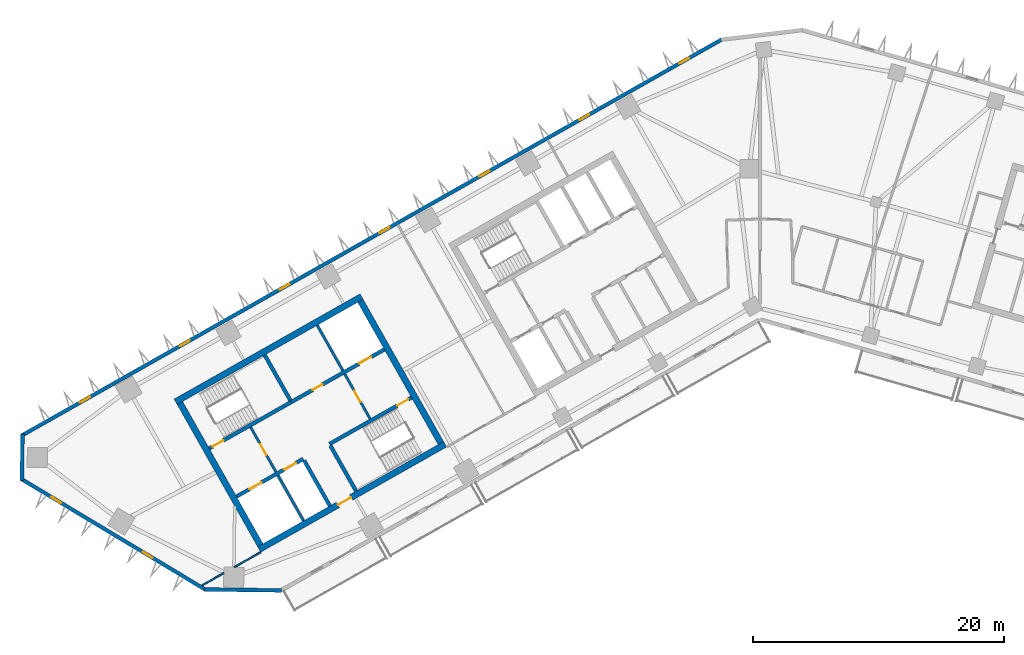
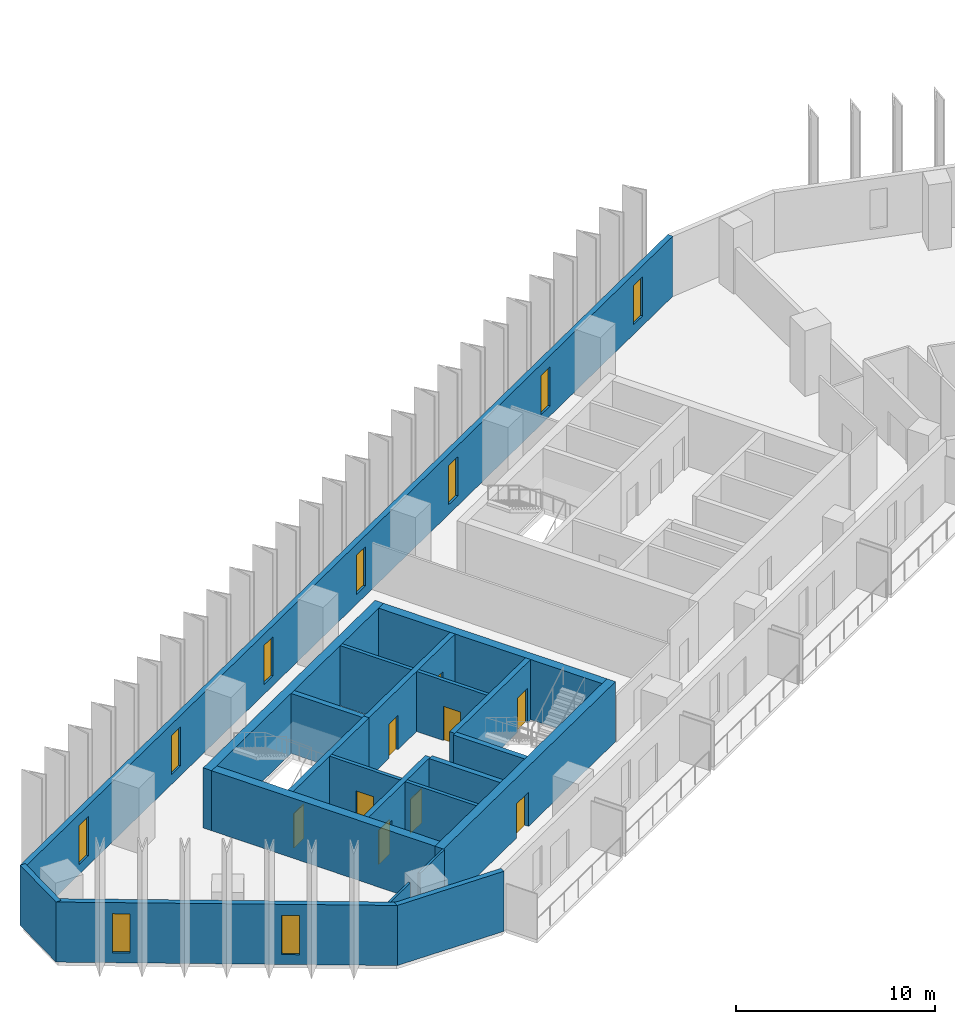
# One storey, part 3 of 10: 21 walls, 9 doors, 9 windows, 18 openings.
"""IFC4 building model written with IfcOpenShell, lengths in metres."""

from ifc_helpers import new_model, si_unit, direction, frame, frame_2d, origin, place, context, subcontext, project, spatial, rectangle, extrude, material, layer, layer_set, type_object, element, fill, save


model = new_model("IFC4")

# Units and contexts
model_context = context("Model", 3, precision=1e-05, world=origin(), true_north=direction((0.0, 1.0)))
body_context = subcontext(model_context, "Body", "Model", "MODEL_VIEW")
ifc_project = project(units=[si_unit("LENGTHUNIT", "METRE"), si_unit("AREAUNIT", "SQUARE_METRE"), si_unit("VOLUMEUNIT", "CUBIC_METRE"), si_unit("PLANEANGLEUNIT", "RADIAN"), si_unit("MASSUNIT", "GRAM", prefix="KILO")], contexts=[model_context])

# Site, building, storey
site_placement = place(None, origin())
site = spatial("IfcSite", under=ifc_project, at=site_placement, CompositionType="ELEMENT")
building_placement = place(site_placement, origin())
building = spatial("IfcBuilding", under=site, at=building_placement, Name="Binnacle Exchange Tower", CompositionType="ELEMENT")
storey_placement = place(building_placement, frame((0.0, 0.0, 186.89990234375)))
storey = spatial("IfcBuildingStorey", under=building, at=storey_placement, Name="L40", CompositionType="ELEMENT", Elevation=186.89990234375)

# Wall, openings, doors
ifc_material_1 = material(Name="Concrete C70/85", Category="concrete")
ifc_layer_1 = layer(ifc_material_1, 0.300048828125)
ifc_layer_set_1 = layer_set([ifc_layer_1], Name="Core wall - front 300")
wall_type_1 = type_object("IfcWallType", Name="Core wall - front 300", PredefinedType="SOLIDWALL", material=ifc_layer_set_1)
wall_1_placement = place(storey_placement, frame((-41.64306640625, 33.91162109375, 0.0), z_axis=(0.0, 0.0, 1.0), x_axis=(0.870343599782, 0.492444939378, 0.0)))
wall_1 = element("IfcWall", 1, at=wall_1_placement, inside=storey, type_object=wall_type_1, Name="Core wall CRWA2", PredefinedType="SOLIDWALL", context=body_context, shape_type="SweptSolid", body=[
    extrude(rectangle(XDim=6.10009765625, YDim=0.300048828125, at=frame_2d((3.050048828125, 0.0))), origin(), (0.0, 0.0, 1.0), 3.68017578125),
])
opening_1_placement = place(wall_1_placement, frame((1.199951171875, 0.0, 0.0)))
opening_1 = element("IfcOpeningElement", 2, at=opening_1_placement, cuts=wall_1, Name="Opening LD12", PredefinedType="OPENING", context=body_context, shape_type="SweptSolid", body=[
    extrude(rectangle(XDim=1.10009765625, YDim=2.10009765625, at=frame_2d((0.550048828125, 1.050048828125))), frame((0.0, 0.159912109375, 0.0), z_axis=(0.0, -1.0, 0.0), x_axis=(1.0, 0.0, 0.0)), (0.0, 0.0, 1.0), 0.320068359375),
])
opening_2_placement = place(wall_1_placement, frame((4.35009765625, 0.0, 0.0)))
opening_2 = element("IfcOpeningElement", 3, at=opening_2_placement, cuts=wall_1, Name="Opening LD8", PredefinedType="OPENING", context=body_context, shape_type="SweptSolid", body=[
    extrude(rectangle(XDim=1.10009765625, YDim=2.10009765625, at=frame_2d((0.550048828125, 1.050048828125))), frame((0.0, 0.159912109375, 0.0), z_axis=(0.0, -1.0, 0.0), x_axis=(1.0, 0.0, 0.0)), (0.0, 0.0, 1.0), 0.320068359375),
])
ifc_material_2 = material(Name="Steel door leaf", Category="steel")
door_type_1 = type_object("IfcDoorType", Name="Fire door - lift landing 1100", OperationType="NOTDEFINED", PredefinedType="DOOR", material=ifc_material_2)
door_1_placement = place(opening_1_placement, origin())
door_1 = element("IfcDoor", 4, at=door_1_placement, inside=storey, type_object=door_type_1, Name="Landing door LD12 L40", OperationType="DOUBLE_DOOR_SLIDING", OverallHeight=2.10009765625, OverallWidth=1.10009765625, PredefinedType="DOOR", context=body_context, shape_type="SweptSolid", body=[
    extrude(rectangle(XDim=1.10009765625, YDim=2.10009765625, at=frame_2d((0.550048828125, 1.050048828125))), frame((0.0, 0.02490234375, 0.0), z_axis=(0.0, -1.0, 0.0), x_axis=(1.0, 0.0, 0.0)), (0.0, 0.0, 1.0), 0.050048828125),
])
fill(opening_1, door_1)
door_2_placement = place(opening_2_placement, origin())
door_2 = element("IfcDoor", 5, at=door_2_placement, inside=storey, type_object=door_type_1, Name="Landing door LD8 L40", OperationType="DOUBLE_DOOR_SLIDING", OverallHeight=2.10009765625, OverallWidth=1.10009765625, PredefinedType="DOOR", context=body_context, shape_type="SweptSolid", body=[
    extrude(rectangle(XDim=1.10009765625, YDim=2.10009765625, at=frame_2d((0.550048828125, 1.050048828125))), frame((0.0, 0.02490234375, 0.0), z_axis=(0.0, -1.0, 0.0), x_axis=(1.0, 0.0, 0.0)), (0.0, 0.0, 1.0), 0.050048828125),
])
fill(opening_2, door_2)

wall_2_placement = place(storey_placement, frame((-37.281982421875, 41.4345703125, 0.0), z_axis=(0.0, 0.0, 1.0), x_axis=(0.870356271124, 0.492422543467, 0.0)))
wall_2 = element("IfcWall", 6, at=wall_2_placement, inside=storey, type_object=wall_type_1, Name="Core wall CRWA5", PredefinedType="SOLIDWALL", context=body_context, shape_type="SweptSolid", body=[
    extrude(rectangle(XDim=8.5, YDim=0.300048828125, at=frame_2d((4.25, 0.0))), origin(), (0.0, 0.0, 1.0), 3.68017578125),
])
opening_3_placement = place(wall_2_placement, frame((6.199951171875, 0.0, 0.0)))
opening_3 = element("IfcOpeningElement", 7, at=opening_3_placement, cuts=wall_2, Name="Opening LD13", PredefinedType="OPENING", context=body_context, shape_type="SweptSolid", body=[
    extrude(rectangle(XDim=1.10009765625, YDim=2.10009765625, at=frame_2d((0.550048828125, 1.050048828125))), frame((0.0, 0.159912109375, 0.0), z_axis=(0.0, -1.0, 0.0), x_axis=(1.0, 0.0, 0.0)), (0.0, 0.0, 1.0), 0.320068359375),
])
opening_4_placement = place(wall_2_placement, frame((1.949951171875, 0.0, 0.0)))
opening_4 = element("IfcOpeningElement", 8, at=opening_4_placement, cuts=wall_2, Name="Opening DA10", PredefinedType="OPENING", context=body_context, shape_type="SweptSolid", body=[
    extrude(rectangle(XDim=0.89990234375, YDim=2.10009765625, at=frame_2d((0.449951171875, 1.050048828125))), frame((0.0, 0.159912109375, 0.0), z_axis=(0.0, -1.0, 0.0), x_axis=(1.0, 0.0, 0.0)), (0.0, 0.0, 1.0), 0.320068359375),
])
door_3_placement = place(opening_3_placement, origin())
door_3 = element("IfcDoor", 9, at=door_3_placement, inside=storey, type_object=door_type_1, Name="Landing door LD13 L40", OperationType="DOUBLE_DOOR_SLIDING", OverallHeight=2.10009765625, OverallWidth=1.10009765625, PredefinedType="DOOR", context=body_context, shape_type="SweptSolid", body=[
    extrude(rectangle(XDim=1.10009765625, YDim=2.10009765625, at=frame_2d((0.550048828125, 1.050048828125))), frame((0.0, 0.02490234375, 0.0), z_axis=(0.0, -1.0, 0.0), x_axis=(1.0, 0.0, 0.0)), (0.0, 0.0, 1.0), 0.050048828125),
])
fill(opening_3, door_3)
door_type_2 = type_object("IfcDoorType", Name="Fire door 900", OperationType="NOTDEFINED", PredefinedType="DOOR", material=ifc_material_2)
door_4_placement = place(opening_4_placement, origin())
door_4 = element("IfcDoor", 10, at=door_4_placement, inside=storey, type_object=door_type_2, Name="Core room door LINEN AND SUPPLIES STORE", OperationType="SINGLE_SWING_LEFT", OverallHeight=2.10009765625, OverallWidth=0.89990234375, PredefinedType="DOOR", context=body_context, shape_type="SweptSolid", body=[
    extrude(rectangle(XDim=0.89990234375, YDim=2.10009765625, at=frame_2d((0.449951171875, 1.050048828125))), frame((0.0, 0.02490234375, 0.0), z_axis=(0.0, -1.0, 0.0), x_axis=(1.0, 0.0, 0.0)), (0.0, 0.0, 1.0), 0.050048828125),
])
fill(opening_4, door_4)

# Wall
wall_3_placement = place(storey_placement, frame((-36.260009765625, 36.784912109375, 0.0), z_axis=(0.0, 0.0, 1.0), x_axis=(0.492421666909, -0.870356767055, 0.0)))
element("IfcWall", 11, at=wall_3_placement, inside=storey, type_object=wall_type_1, Name="Core wall CRWA13", PredefinedType="SOLIDWALL", context=body_context, shape_type="SweptSolid", body=[
    extrude(rectangle(XDim=4.14990234375, YDim=0.300048828125, at=frame_2d((2.074951171875, 0.0))), origin(), (0.0, 0.0, 1.0), 3.68017578125),
])

# Wall, opening, door
ifc_layer_2 = layer(ifc_material_1, 0.5)
ifc_layer_set_2 = layer_set([ifc_layer_2], Name="Core wall - outer 500")
wall_type_2 = type_object("IfcWallType", Name="Core wall - outer 500", PredefinedType="SOLIDWALL", material=ifc_layer_set_2)
wall_4_placement = place(storey_placement, frame((-39.837646484375, 29.705322265625, 0.0), z_axis=(0.0, 0.0, 1.0), x_axis=(0.870350116061, 0.492433422375, 0.0)))
wall_4 = element("IfcWall", 12, at=wall_4_placement, inside=storey, type_object=wall_type_2, Name="Core wall CRWA1", PredefinedType="SOLIDWALL", context=body_context, shape_type="SweptSolid", body=[
    extrude(rectangle(XDim=17.0, YDim=0.5, at=frame_2d((8.5, 0.0))), origin(), (0.0, 0.0, 1.0), 3.68017578125),
])
opening_5_placement = place(wall_4_placement, frame((7.199951171875, 0.0, 0.0)))
opening_5 = element("IfcOpeningElement", 13, at=opening_5_placement, cuts=wall_4, Name="Opening DA7", PredefinedType="OPENING", context=body_context, shape_type="SweptSolid", body=[
    extrude(rectangle(XDim=1.199951171875, YDim=2.10009765625, at=frame_2d((0.60009765625, 1.050048828125))), frame((0.0, 0.260009765625, 0.0), z_axis=(0.0, -1.0, 0.0), x_axis=(1.0, 0.0, 0.0)), (0.0, 0.0, 1.0), 0.52001953125),
])
door_type_3 = type_object("IfcDoorType", Name="Fire door 1200", OperationType="NOTDEFINED", PredefinedType="DOOR", material=ifc_material_2)
door_5_placement = place(opening_5_placement, frame((1.199951171875, 0.0, 0.0), z_axis=(0.0, 0.0, 1.0), x_axis=(-1.0, 0.0, 0.0)))
door_5 = element("IfcDoor", 14, at=door_5_placement, inside=storey, type_object=door_type_3, Name="Lift lobby entrance door core A", OperationType="SINGLE_SWING_RIGHT", OverallHeight=2.10009765625, OverallWidth=1.199951171875, PredefinedType="DOOR", context=body_context, shape_type="SweptSolid", body=[
    extrude(rectangle(XDim=1.199951171875, YDim=2.10009765625, at=frame_2d((0.60009765625, 1.050048828125))), frame((0.0, 0.02490234375, 0.0), z_axis=(0.0, -1.0, 0.0), x_axis=(1.0, 0.0, 0.0)), (0.0, 0.0, 1.0), 0.050048828125),
])
fill(opening_5, door_5)

# Walls
wall_5_placement = place(storey_placement, frame((-46.485595703125, 41.455078125, 0.0), z_axis=(0.0, 0.0, 1.0), x_axis=(0.870353598469, 0.492427267353, 0.0)))
element("IfcWall", 15, at=wall_5_placement, inside=storey, type_object=wall_type_2, Name="Core wall CRWA6", PredefinedType="SOLIDWALL", context=body_context, shape_type="SweptSolid", body=[
    extrude(rectangle(XDim=17.000244140625, YDim=0.5, at=frame_2d((8.5, 0.0))), origin(), (0.0, 0.0, 1.0), 3.68017578125),
])
for number, where, z_axis, x_axis, name in (
    (16, (-46.144775390625, 41.360595703125, 0.0), (0.0, 0.0, 1.0), (0.492435316254, -0.870349044525, 0.0), "Core wall CRWA7"),
    (17, (-31.783935546875, 49.485595703125, 0.0), (0.0, 0.0, 1.0), (0.492435316254, -0.870349044525, 0.0), "Core wall CRWA22"),
):
    element("IfcWall", number, at=place(storey_placement, frame(where, z_axis=z_axis, x_axis=x_axis)), inside=storey, type_object=wall_type_2, Name=name, PredefinedType="SOLIDWALL", context=body_context, shape_type="SweptSolid", body=[
        extrude(rectangle(XDim=13.0, YDim=0.5, at=frame_2d((6.5, 0.0))), origin(), (0.0, 0.0, 1.0), 3.68017578125),
    ])

# Wall, opening, door
ifc_layer_3 = layer(ifc_material_1, 0.300048828125)
ifc_layer_set_3 = layer_set([ifc_layer_3], Name="Core wall - stair 300")
wall_type_3 = type_object("IfcWallType", Name="Core wall - stair 300", PredefinedType="SOLIDWALL", material=ifc_layer_set_3)
wall_6_placement = place(storey_placement, frame((-34.2451171875, 38.097412109375, 0.0), z_axis=(0.0, 0.0, 1.0), x_axis=(0.870364520461, 0.492407962489, 0.0)))
wall_6 = element("IfcWall", 18, at=wall_6_placement, inside=storey, type_object=wall_type_3, Name="Core wall CRWA3", PredefinedType="SOLIDWALL", context=body_context, shape_type="SweptSolid", body=[
    extrude(rectangle(XDim=7.5, YDim=0.300048828125, at=frame_2d((3.75, 0.0))), origin(), (0.0, 0.0, 1.0), 3.68017578125),
])
opening_6_placement = place(wall_6_placement, frame((6.199951171875, 0.0, 0.0)))
opening_6 = element("IfcOpeningElement", 19, at=opening_6_placement, cuts=wall_6, Name="Opening DA2", PredefinedType="OPENING", context=body_context, shape_type="SweptSolid", body=[
    extrude(rectangle(XDim=1.0, YDim=2.10009765625, at=frame_2d((0.5, 1.050048828125))), frame((0.0, 0.159912109375, 0.0), z_axis=(0.0, -1.0, 0.0), x_axis=(1.0, 0.0, 0.0)), (0.0, 0.0, 1.0), 0.320068359375),
])
door_type_4 = type_object("IfcDoorType", Name="Fire door 1000", OperationType="NOTDEFINED", PredefinedType="DOOR", material=ifc_material_2)
door_6_placement = place(opening_6_placement, frame((1.0, 0.0, 0.0), z_axis=(0.0, 0.0, 1.0), x_axis=(-1.0, 0.0, 0.0)))
door_6 = element("IfcDoor", 20, at=door_6_placement, inside=storey, type_object=door_type_4, Name="Stair door ST-A2", OperationType="SINGLE_SWING_LEFT", OverallHeight=2.10009765625, OverallWidth=1.0, PredefinedType="DOOR", context=body_context, shape_type="SweptSolid", body=[
    extrude(rectangle(XDim=1.0, YDim=2.10009765625, at=frame_2d((0.5, 1.050048828125))), frame((0.0, 0.02490234375, 0.0), z_axis=(0.0, -1.0, 0.0), x_axis=(1.0, 0.0, 0.0)), (0.0, 0.0, 1.0), 0.050048828125),
])
fill(opening_6, door_6)

wall_7_placement = place(storey_placement, frame((-43.809814453125, 37.7412109375, 0.0), z_axis=(0.0, 0.0, 1.0), x_axis=(0.870350569555, 0.492432620848, 0.0)))
wall_7 = element("IfcWall", 21, at=wall_7_placement, inside=storey, type_object=wall_type_3, Name="Core wall CRWA4", PredefinedType="SOLIDWALL", context=body_context, shape_type="SweptSolid", body=[
    extrude(rectangle(XDim=7.500244140625, YDim=0.300048828125, at=frame_2d((3.75, 0.0))), origin(), (0.0, 0.0, 1.0), 3.68017578125),
])
opening_7_placement = place(wall_7_placement, frame((0.2998046875, 0.0, 0.0)))
opening_7 = element("IfcOpeningElement", 22, at=opening_7_placement, cuts=wall_7, Name="Opening DA1", PredefinedType="OPENING", context=body_context, shape_type="SweptSolid", body=[
    extrude(rectangle(XDim=1.0, YDim=2.10009765625, at=frame_2d((0.5, 1.050048828125))), frame((0.0, 0.159912109375, 0.0), z_axis=(0.0, -1.0, 0.0), x_axis=(1.0, 0.0, 0.0)), (0.0, 0.0, 1.0), 0.320068359375),
])
door_7_placement = place(opening_7_placement, origin())
door_7 = element("IfcDoor", 23, at=door_7_placement, inside=storey, type_object=door_type_4, Name="Stair door ST-A1", OperationType="SINGLE_SWING_LEFT", OverallHeight=2.10009765625, OverallWidth=1.0, PredefinedType="DOOR", context=body_context, shape_type="SweptSolid", body=[
    extrude(rectangle(XDim=1.0, YDim=2.10009765625, at=frame_2d((0.5, 1.050048828125))), frame((0.0, 0.02490234375, 0.0), z_axis=(0.0, -1.0, 0.0), x_axis=(1.0, 0.0, 0.0)), (0.0, 0.0, 1.0), 0.050048828125),
])
fill(opening_7, door_7)

# Walls
for number, where, z_axis, x_axis, name in (
    (24, (-39.3994140625, 45.177001953125, 0.0), (0.0, 0.0, 1.0), (0.492396453737, -0.870371031427, 0.0), "Core wall CRWA14"),
    (25, (-34.171142578125, 37.966796875, 0.0), (0.0, 0.0, 1.0), (0.492396453737, -0.870371031427, 0.0), "Core wall CRWA16"),
):
    element("IfcWall", number, at=place(storey_placement, frame(where, z_axis=z_axis, x_axis=x_axis)), inside=storey, type_object=wall_type_3, Name=name, PredefinedType="SOLIDWALL", context=body_context, shape_type="SweptSolid", body=[
        extrude(rectangle(XDim=4.14990234375, YDim=0.300048828125, at=frame_2d((2.074951171875, 0.0))), origin(), (0.0, 0.0, 1.0), 3.68017578125),
    ])
ifc_material_3 = material(Name="Bronze aluminium cladding", Category="aluminium")
ifc_layer_4 = layer(ifc_material_3, 0.300048828125)
ifc_layer_set_4 = layer_set([ifc_layer_4], Name="External wall - spandrel 300")
wall_type_4 = type_object("IfcWallType", Name="External wall - spandrel 300", PredefinedType="STANDARD", material=ifc_layer_set_4)
wall_8_placement = place(storey_placement, frame((-38.057373046875, 26.44482421875, 0.0), z_axis=(0.0, 0.0, 1.0), x_axis=(-0.999914086342, 0.013108010296, 0.0)))
element("IfcWall", 26, at=wall_8_placement, inside=storey, type_object=wall_type_4, Name="External wall EW-G00 L40", PredefinedType="STANDARD", context=body_context, shape_type="SweptSolid", body=[
    extrude(rectangle(XDim=6.127685546875, YDim=0.300048828125, at=frame_2d((3.06396484375, 0.0))), origin(), (0.0, 0.0, 1.0), 3.68017578125),
])

# Wall, openings, windows
wall_9_placement = place(storey_placement, frame((-58.744873046875, 38.763671875, 0.0), z_axis=(0.0, 0.0, 1.0), x_axis=(0.870355811726, 0.492423355453, 0.0)))
wall_9 = element("IfcWall", 27, at=wall_9_placement, inside=storey, type_object=wall_type_4, Name="External wall EW-G08 L40", PredefinedType="STANDARD", context=body_context, shape_type="SweptSolid", body=[
    extrude(rectangle(XDim=64.025390625, YDim=0.300048828125, at=frame_2d((32.0126953125, 0.0))), origin(), (0.0, 0.0, 1.0), 3.68017578125),
])
opening_8_placement = place(wall_9_placement, frame((60.12158203125, 0.0, 0.60009765625)))
opening_8 = element("IfcOpeningElement", 28, at=opening_8_placement, cuts=wall_9, Name="Opening WS3", PredefinedType="OPENING", context=body_context, shape_type="SweptSolid", body=[
    extrude(rectangle(XDim=0.89990234375, YDim=2.39990234375, at=frame_2d((0.449951171875, 1.199951171875))), frame((0.0, 0.159912109375, 0.0), z_axis=(0.0, -1.0, 0.0), x_axis=(1.0, 0.0, 0.0)), (0.0, 0.0, 1.0), 0.320068359375),
])
opening_9_placement = place(wall_9_placement, frame((50.99169921875, 0.0, 0.60009765625)))
opening_9 = element("IfcOpeningElement", 29, at=opening_9_placement, cuts=wall_9, Name="Opening WS3", PredefinedType="OPENING", context=body_context, shape_type="SweptSolid", body=[
    extrude(rectangle(XDim=0.89990234375, YDim=2.39990234375, at=frame_2d((0.449951171875, 1.199951171875))), frame((0.0, 0.159912109375, 0.0), z_axis=(0.0, -1.0, 0.0), x_axis=(1.0, 0.0, 0.0)), (0.0, 0.0, 1.0), 0.320068359375),
])
opening_10_placement = place(wall_9_placement, frame((41.86181640625, 0.0, 0.60009765625)))
opening_10 = element("IfcOpeningElement", 30, at=opening_10_placement, cuts=wall_9, Name="Opening WS3", PredefinedType="OPENING", context=body_context, shape_type="SweptSolid", body=[
    extrude(rectangle(XDim=0.89990234375, YDim=2.39990234375, at=frame_2d((0.449951171875, 1.199951171875))), frame((0.0, 0.159912109375, 0.0), z_axis=(0.0, -1.0, 0.0), x_axis=(1.0, 0.0, 0.0)), (0.0, 0.0, 1.0), 0.320068359375),
])
opening_11_placement = place(wall_9_placement, frame((32.73193359375, 0.0, 0.60009765625)))
opening_11 = element("IfcOpeningElement", 31, at=opening_11_placement, cuts=wall_9, Name="Opening WS3", PredefinedType="OPENING", context=body_context, shape_type="SweptSolid", body=[
    extrude(rectangle(XDim=0.89990234375, YDim=2.39990234375, at=frame_2d((0.449951171875, 1.199951171875))), frame((0.0, 0.159912109375, 0.0), z_axis=(0.0, -1.0, 0.0), x_axis=(1.0, 0.0, 0.0)), (0.0, 0.0, 1.0), 0.320068359375),
])
opening_12_placement = place(wall_9_placement, frame((23.60205078125, 0.0, 0.60009765625)))
opening_12 = element("IfcOpeningElement", 32, at=opening_12_placement, cuts=wall_9, Name="Opening WS3", PredefinedType="OPENING", context=body_context, shape_type="SweptSolid", body=[
    extrude(rectangle(XDim=0.89990234375, YDim=2.39990234375, at=frame_2d((0.449951171875, 1.199951171875))), frame((0.0, 0.159912109375, 0.0), z_axis=(0.0, -1.0, 0.0), x_axis=(1.0, 0.0, 0.0)), (0.0, 0.0, 1.0), 0.320068359375),
])
opening_13_placement = place(wall_9_placement, frame((14.47216796875, 0.0, 0.60009765625)))
opening_13 = element("IfcOpeningElement", 33, at=opening_13_placement, cuts=wall_9, Name="Opening WS3", PredefinedType="OPENING", context=body_context, shape_type="SweptSolid", body=[
    extrude(rectangle(XDim=0.89990234375, YDim=2.39990234375, at=frame_2d((0.449951171875, 1.199951171875))), frame((0.0, 0.159912109375, 0.0), z_axis=(0.0, -1.0, 0.0), x_axis=(1.0, 0.0, 0.0)), (0.0, 0.0, 1.0), 0.320068359375),
])
opening_14_placement = place(wall_9_placement, frame((5.34228515625, 0.0, 0.60009765625)))
opening_14 = element("IfcOpeningElement", 34, at=opening_14_placement, cuts=wall_9, Name="Opening WS3", PredefinedType="OPENING", context=body_context, shape_type="SweptSolid", body=[
    extrude(rectangle(XDim=0.89990234375, YDim=2.39990234375, at=frame_2d((0.449951171875, 1.199951171875))), frame((0.0, 0.159912109375, 0.0), z_axis=(0.0, -1.0, 0.0), x_axis=(1.0, 0.0, 0.0)), (0.0, 0.0, 1.0), 0.320068359375),
])
ifc_material_4 = material(Name="Bronze anodised aluminium frame", Category="aluminium")
window_type = type_object("IfcWindowType", Name="WS3 WINDOW 900x2400", PartitioningType="SINGLE_PANEL", PredefinedType="WINDOW", material=ifc_material_4)
window_1_placement = place(opening_8_placement, origin())
window_1 = element("IfcWindow", 35, at=window_1_placement, inside=storey, type_object=window_type, Name="Window WS3 L40", OverallHeight=2.39990234375, OverallWidth=0.89990234375, PartitioningType="SINGLE_PANEL", PredefinedType="WINDOW", context=body_context, shape_type="SweptSolid", body=[
    extrude(rectangle(XDim=0.89990234375, YDim=2.39990234375, at=frame_2d((0.449951171875, 1.199951171875))), frame((0.0, 0.030029296875, 0.0), z_axis=(0.0, -1.0, 0.0), x_axis=(1.0, 0.0, 0.0)), (0.0, 0.0, 1.0), 0.06005859375),
])
fill(opening_8, window_1)
window_2_placement = place(opening_9_placement, origin())
window_2 = element("IfcWindow", 36, at=window_2_placement, inside=storey, type_object=window_type, Name="Window WS3 L40", OverallHeight=2.39990234375, OverallWidth=0.89990234375, PartitioningType="SINGLE_PANEL", PredefinedType="WINDOW", context=body_context, shape_type="SweptSolid", body=[
    extrude(rectangle(XDim=0.89990234375, YDim=2.39990234375, at=frame_2d((0.449951171875, 1.199951171875))), frame((0.0, 0.030029296875, 0.0), z_axis=(0.0, -1.0, 0.0), x_axis=(1.0, 0.0, 0.0)), (0.0, 0.0, 1.0), 0.06005859375),
])
fill(opening_9, window_2)
window_3_placement = place(opening_10_placement, origin())
window_3 = element("IfcWindow", 37, at=window_3_placement, inside=storey, type_object=window_type, Name="Window WS3 L40", OverallHeight=2.39990234375, OverallWidth=0.89990234375, PartitioningType="SINGLE_PANEL", PredefinedType="WINDOW", context=body_context, shape_type="SweptSolid", body=[
    extrude(rectangle(XDim=0.89990234375, YDim=2.39990234375, at=frame_2d((0.449951171875, 1.199951171875))), frame((0.0, 0.030029296875, 0.0), z_axis=(0.0, -1.0, 0.0), x_axis=(1.0, 0.0, 0.0)), (0.0, 0.0, 1.0), 0.06005859375),
])
fill(opening_10, window_3)
window_4_placement = place(opening_11_placement, origin())
window_4 = element("IfcWindow", 38, at=window_4_placement, inside=storey, type_object=window_type, Name="Window WS3 L40", OverallHeight=2.39990234375, OverallWidth=0.89990234375, PartitioningType="SINGLE_PANEL", PredefinedType="WINDOW", context=body_context, shape_type="SweptSolid", body=[
    extrude(rectangle(XDim=0.89990234375, YDim=2.39990234375, at=frame_2d((0.449951171875, 1.199951171875))), frame((0.0, 0.030029296875, 0.0), z_axis=(0.0, -1.0, 0.0), x_axis=(1.0, 0.0, 0.0)), (0.0, 0.0, 1.0), 0.06005859375),
])
fill(opening_11, window_4)
window_5_placement = place(opening_12_placement, origin())
window_5 = element("IfcWindow", 39, at=window_5_placement, inside=storey, type_object=window_type, Name="Window WS3 L40", OverallHeight=2.39990234375, OverallWidth=0.89990234375, PartitioningType="SINGLE_PANEL", PredefinedType="WINDOW", context=body_context, shape_type="SweptSolid", body=[
    extrude(rectangle(XDim=0.89990234375, YDim=2.39990234375, at=frame_2d((0.449951171875, 1.199951171875))), frame((0.0, 0.030029296875, 0.0), z_axis=(0.0, -1.0, 0.0), x_axis=(1.0, 0.0, 0.0)), (0.0, 0.0, 1.0), 0.06005859375),
])
fill(opening_12, window_5)
window_6_placement = place(opening_13_placement, origin())
window_6 = element("IfcWindow", 40, at=window_6_placement, inside=storey, type_object=window_type, Name="Window WS3 L40", OverallHeight=2.39990234375, OverallWidth=0.89990234375, PartitioningType="SINGLE_PANEL", PredefinedType="WINDOW", context=body_context, shape_type="SweptSolid", body=[
    extrude(rectangle(XDim=0.89990234375, YDim=2.39990234375, at=frame_2d((0.449951171875, 1.199951171875))), frame((0.0, 0.030029296875, 0.0), z_axis=(0.0, -1.0, 0.0), x_axis=(1.0, 0.0, 0.0)), (0.0, 0.0, 1.0), 0.06005859375),
])
fill(opening_13, window_6)
window_7_placement = place(opening_14_placement, origin())
window_7 = element("IfcWindow", 41, at=window_7_placement, inside=storey, type_object=window_type, Name="Window WS3 L40", OverallHeight=2.39990234375, OverallWidth=0.89990234375, PartitioningType="SINGLE_PANEL", PredefinedType="WINDOW", context=body_context, shape_type="SweptSolid", body=[
    extrude(rectangle(XDim=0.89990234375, YDim=2.39990234375, at=frame_2d((0.449951171875, 1.199951171875))), frame((0.0, 0.030029296875, 0.0), z_axis=(0.0, -1.0, 0.0), x_axis=(1.0, 0.0, 0.0)), (0.0, 0.0, 1.0), 0.06005859375),
])
fill(opening_14, window_7)

# Wall
wall_10_placement = place(storey_placement, frame((-58.717041015625, 35.19384765625, 0.0), z_axis=(0.0, 0.0, 1.0), x_axis=(0.013069053407, 0.999914596275, 0.0)))
element("IfcWall", 42, at=wall_10_placement, inside=storey, type_object=wall_type_4, Name="External wall EW-G09 L40", PredefinedType="STANDARD", context=body_context, shape_type="SweptSolid", body=[
    extrude(rectangle(XDim=3.69873046875, YDim=0.300048828125, at=frame_2d((1.849365234375, 0.0))), origin(), (0.0, 0.0, 1.0), 3.68017578125),
])

# Wall, openings, windows
wall_11_placement = place(storey_placement, frame((-44.109375, 26.503662109375, 0.0), z_axis=(0.0, 0.0, 1.0), x_axis=(-0.857169502585, 0.515034410344, 0.0)))
wall_11 = element("IfcWall", 43, at=wall_11_placement, inside=storey, type_object=wall_type_4, Name="External wall EW-G10 L40", PredefinedType="STANDARD", context=body_context, shape_type="SweptSolid", body=[
    extrude(rectangle(XDim=17.126708984375, YDim=0.300048828125, at=frame_2d((8.5634765625, 0.0))), origin(), (0.0, 0.0, 1.0), 3.68017578125),
])
opening_15_placement = place(wall_11_placement, frame((13.403076171875, 0.0, 0.60009765625)))
opening_15 = element("IfcOpeningElement", 44, at=opening_15_placement, cuts=wall_11, Name="Opening WS3", PredefinedType="OPENING", context=body_context, shape_type="SweptSolid", body=[
    extrude(rectangle(XDim=0.89990234375, YDim=2.39990234375, at=frame_2d((0.449951171875, 1.199951171875))), frame((0.0, 0.159912109375, 0.0), z_axis=(0.0, -1.0, 0.0), x_axis=(1.0, 0.0, 0.0)), (0.0, 0.0, 1.0), 0.320068359375),
])
opening_16_placement = place(wall_11_placement, frame((4.903076171875, 0.0, 0.60009765625)))
opening_16 = element("IfcOpeningElement", 45, at=opening_16_placement, cuts=wall_11, Name="Opening WS3", PredefinedType="OPENING", context=body_context, shape_type="SweptSolid", body=[
    extrude(rectangle(XDim=0.89990234375, YDim=2.39990234375, at=frame_2d((0.449951171875, 1.199951171875))), frame((0.0, 0.159912109375, 0.0), z_axis=(0.0, -1.0, 0.0), x_axis=(1.0, 0.0, 0.0)), (0.0, 0.0, 1.0), 0.320068359375),
])
window_8_placement = place(opening_15_placement, origin())
window_8 = element("IfcWindow", 46, at=window_8_placement, inside=storey, type_object=window_type, Name="Window WS3 L40", OverallHeight=2.39990234375, OverallWidth=0.89990234375, PartitioningType="SINGLE_PANEL", PredefinedType="WINDOW", context=body_context, shape_type="SweptSolid", body=[
    extrude(rectangle(XDim=0.89990234375, YDim=2.39990234375, at=frame_2d((0.449951171875, 1.199951171875))), frame((0.0, 0.030029296875, 0.0), z_axis=(0.0, -1.0, 0.0), x_axis=(1.0, 0.0, 0.0)), (0.0, 0.0, 1.0), 0.06005859375),
])
fill(opening_15, window_8)
window_9_placement = place(opening_16_placement, origin())
window_9 = element("IfcWindow", 47, at=window_9_placement, inside=storey, type_object=window_type, Name="Window WS3 L40", OverallHeight=2.39990234375, OverallWidth=0.89990234375, PartitioningType="SINGLE_PANEL", PredefinedType="WINDOW", context=body_context, shape_type="SweptSolid", body=[
    extrude(rectangle(XDim=0.89990234375, YDim=2.39990234375, at=frame_2d((0.449951171875, 1.199951171875))), frame((0.0, 0.030029296875, 0.0), z_axis=(0.0, -1.0, 0.0), x_axis=(1.0, 0.0, 0.0)), (0.0, 0.0, 1.0), 0.06005859375),
])
fill(opening_16, window_9)

# Wall, opening, door
ifc_material_5 = material(Name="Masonry block wall", Category="masonry")
ifc_layer_5 = layer(ifc_material_5, 0.199951171875)
ifc_layer_set_5 = layer_set([ifc_layer_5], Name="Fire wall - vestibule 200")
wall_type_5 = type_object("IfcWallType", Name="Fire wall - vestibule 200", PredefinedType="PARTITIONING", material=ifc_layer_set_5)
wall_12_placement = place(storey_placement, frame((-40.515625, 39.4326171875, 0.0), z_axis=(0.0, 0.0, 1.0), x_axis=(0.492453559952, -0.87033872216, 0.0)))
wall_12 = element("IfcWall", 48, at=wall_12_placement, inside=storey, type_object=wall_type_5, Name="Core wall CRWA10", PredefinedType="PARTITIONING", context=body_context, shape_type="SweptSolid", body=[
    extrude(rectangle(XDim=4.099853515625, YDim=0.199951171875, at=frame_2d((2.0498046875, 0.0))), origin(), (0.0, 0.0, 1.0), 3.68017578125),
])
opening_17_placement = place(wall_12_placement, frame((1.550048828125, 0.0, 0.0)))
opening_17 = element("IfcOpeningElement", 49, at=opening_17_placement, cuts=wall_12, Name="Opening DA3", PredefinedType="OPENING", context=body_context, shape_type="SweptSolid", body=[
    extrude(rectangle(XDim=1.0, YDim=2.10009765625, at=frame_2d((0.5, 1.050048828125))), frame((0.0, 0.10986328125, 0.0), z_axis=(0.0, -1.0, 0.0), x_axis=(1.0, 0.0, 0.0)), (0.0, 0.0, 1.0), 0.219970703125),
])
door_8_placement = place(opening_17_placement, frame((1.0, 0.0, 0.0), z_axis=(0.0, 0.0, 1.0), x_axis=(-1.0, 0.0, 0.0)))
door_8 = element("IfcDoor", 50, at=door_8_placement, inside=storey, type_object=door_type_4, Name="Vestibule door VEST-W", OperationType="SINGLE_SWING_LEFT", OverallHeight=2.10009765625, OverallWidth=1.0, PredefinedType="DOOR", context=body_context, shape_type="SweptSolid", body=[
    extrude(rectangle(XDim=1.0, YDim=2.10009765625, at=frame_2d((0.5, 1.050048828125))), frame((0.0, 0.02490234375, 0.0), z_axis=(0.0, -1.0, 0.0), x_axis=(1.0, 0.0, 0.0)), (0.0, 0.0, 1.0), 0.050048828125),
])
fill(opening_17, door_8)

wall_13_placement = place(storey_placement, frame((-33.030517578125, 43.66748046875, 0.0), z_axis=(0.0, 0.0, 1.0), x_axis=(0.492408451753, -0.87036424366, 0.0)))
wall_13 = element("IfcWall", 51, at=wall_13_placement, inside=storey, type_object=wall_type_5, Name="Core wall CRWA19", PredefinedType="PARTITIONING", context=body_context, shape_type="SweptSolid", body=[
    extrude(rectangle(XDim=4.099853515625, YDim=0.199951171875, at=frame_2d((2.0498046875, 0.0))), origin(), (0.0, 0.0, 1.0), 3.68017578125),
])
opening_18_placement = place(wall_13_placement, frame((1.550048828125, 0.0, 0.0)))
opening_18 = element("IfcOpeningElement", 52, at=opening_18_placement, cuts=wall_13, Name="Opening DA4", PredefinedType="OPENING", context=body_context, shape_type="SweptSolid", body=[
    extrude(rectangle(XDim=1.0, YDim=2.10009765625, at=frame_2d((0.5, 1.050048828125))), frame((0.0, 0.10986328125, 0.0), z_axis=(0.0, -1.0, 0.0), x_axis=(1.0, 0.0, 0.0)), (0.0, 0.0, 1.0), 0.219970703125),
])
door_9_placement = place(opening_18_placement, origin())
door_9 = element("IfcDoor", 53, at=door_9_placement, inside=storey, type_object=door_type_4, Name="Vestibule door VEST-E", OperationType="SINGLE_SWING_RIGHT", OverallHeight=2.10009765625, OverallWidth=1.0, PredefinedType="DOOR", context=body_context, shape_type="SweptSolid", body=[
    extrude(rectangle(XDim=1.0, YDim=2.10009765625, at=frame_2d((0.5, 1.050048828125))), frame((0.0, 0.02490234375, 0.0), z_axis=(0.0, -1.0, 0.0), x_axis=(1.0, 0.0, 0.0)), (0.0, 0.0, 1.0), 0.050048828125),
])
fill(opening_18, door_9)

# Walls
ifc_material_6 = material(Name="Gypsum partition")
ifc_layer_6 = layer(ifc_material_6, 0.125)
ifc_layer_set_6 = layer_set([ifc_layer_6], Name="Partition 125")
wall_type_6 = type_object("IfcWallType", Name="Partition 125", PredefinedType="PARTITIONING", material=ifc_layer_set_6)
wall_14_placement = place(storey_placement, frame((-44.385986328125, 26.844970703125, 0.0), z_axis=(0.0, 0.0, 1.0), x_axis=(0.870453184796, 0.492251209322, 0.0)))
element("IfcWall", 54, at=wall_14_placement, inside=storey, type_object=wall_type_6, Name="Partition W01", PredefinedType="PARTITIONING", context=body_context, shape_type="SweptSolid", body=[
    extrude(rectangle(XDim=1.99072265625, YDim=0.125, at=frame_2d((0.995361328125, 0.0))), origin(), (0.0, 0.0, 1.0), 3.68017578125),
])
wall_15_placement = place(storey_placement, frame((-41.823974609375, 28.2939453125, 0.0), z_axis=(0.0, 0.0, 1.0), x_axis=(0.870189216305, 0.492717695873, 0.0)))
element("IfcWall", 55, at=wall_15_placement, inside=storey, type_object=wall_type_6, Name="Partition W02", PredefinedType="PARTITIONING", context=body_context, shape_type="SweptSolid", body=[
    extrude(rectangle(XDim=2.423583984375, YDim=0.125, at=frame_2d((1.2119140625, 0.0))), origin(), (0.0, 0.0, 1.0), 3.68017578125),
])
ifc_layer_7 = layer(ifc_material_5, 0.199951171875)
ifc_layer_set_7 = layer_set([ifc_layer_7], Name="Shaft wall 200")
wall_type_7 = type_object("IfcWallType", Name="Shaft wall 200", PredefinedType="SOLIDWALL", material=ifc_layer_set_7)
for number, where, z_axis, x_axis, name in (
    (56, (-38.348876953125, 35.603271484375, 0.0), (0.0, 0.0, 1.0), (0.492396453737, -0.870371031427, 0.0), "Core wall CRWA9"),
    (57, (-35.2216796875, 47.54052734375, 0.0), (0.0, 0.0, 1.0), (0.492421666909, -0.870356767055, 0.0), "Core wall CRWA21"),
):
    element("IfcWall", number, at=place(storey_placement, frame(where, z_axis=z_axis, x_axis=x_axis)), inside=storey, type_object=wall_type_7, Name=name, PredefinedType="SOLIDWALL", context=body_context, shape_type="SweptSolid", body=[
        extrude(rectangle(XDim=4.14990234375, YDim=0.199951171875, at=frame_2d((2.074951171875, 0.0))), origin(), (0.0, 0.0, 1.0), 3.68017578125),
    ])

save(model, "model.ifc")
